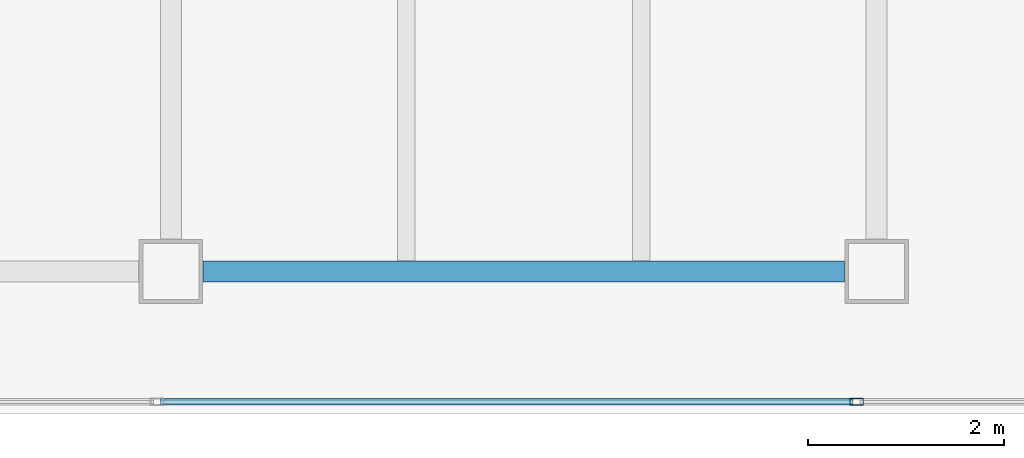
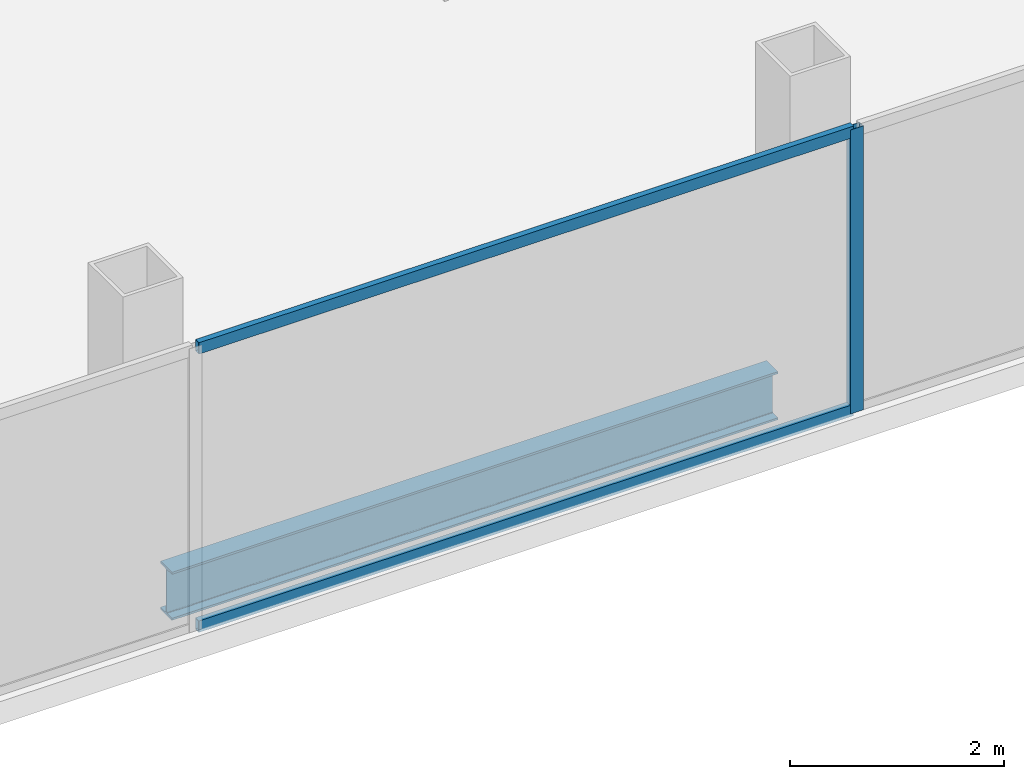
# One storey, part 12 of 23: 3 members, 1 beam, 1 element without a shape of its own.
"""IFC4 building model written with IfcOpenShell, lengths in metres."""

from ifc_helpers import new_model, si_unit, direction, frame, origin, origin_2d, place, context, subcontext, project, spatial, hollow_rectangle, i_section, extrude, material, material_profile, profile_set, type_object, element, aggregate, save


model = new_model("IFC4")

# Units and contexts
model_context = context("Model", 3, precision=1e-05, world=origin(), true_north=direction((0.0, 1.0)))
body_context = subcontext(model_context, "Body", "Model", "MODEL_VIEW")
ifc_project = project(units=[si_unit("LENGTHUNIT", "METRE"), si_unit("AREAUNIT", "SQUARE_METRE"), si_unit("VOLUMEUNIT", "CUBIC_METRE"), si_unit("PLANEANGLEUNIT", "RADIAN"), si_unit("MASSUNIT", "GRAM", prefix="KILO")], contexts=[model_context])

# Site, building, storey
site_placement = place(None, origin())
site = spatial("IfcSite", under=ifc_project, at=site_placement, CompositionType="ELEMENT")
building_placement = place(site_placement, origin())
building = spatial("IfcBuilding", under=site, at=building_placement, Name="Cobrela Telecom Tower", CompositionType="ELEMENT")
storey_placement = place(building_placement, frame((0.0, 0.0, 255.14990234375)))
storey = spatial("IfcBuildingStorey", under=building, at=storey_placement, Name="L66", CompositionType="ELEMENT", Elevation=255.14990234375)

# Beam
ifc_material_1 = material(Name="Steel ASTM A992 Grade 50", Category="steel")
ifc_material_profile_1 = material_profile(ifc_material_1, i_section(OverallWidth=0.212890625, OverallDepth=0.549072265625, WebThickness=0.0146484375, FlangeThickness=0.023681640625, FilletRadius=0.013916015625, at=origin_2d()), Name="W21X93")
ifc_profile_set_1 = profile_set([ifc_material_profile_1], Name="Steel ASTM A992 Grade 50")
beam_type = type_object("IfcBeamType", Name="BM-GIRD-08", PredefinedType="USERDEFINED", material=ifc_profile_set_1)
beam_placement = place(storey_placement, frame((29.1298828125, 7.85009765625, -0.534423828125), z_axis=(1.0, 0.0, 0.0), x_axis=(0.0, 1.0, 0.0)))
element("IfcBeam", 1, at=beam_placement, inside=storey, type_object=beam_type, Name="L66 Primary Girder X04", ObjectType="GIRDER", PredefinedType="USERDEFINED", context=body_context, shape_type="SweptSolid", body=[
    extrude(i_section(OverallWidth=0.212890625, OverallDepth=0.549072265625, WebThickness=0.0146484375, FlangeThickness=0.023681640625, FilletRadius=0.013916015625, at=origin_2d()), origin(), (0.0, 0.0, 1.0), 6.5400390625),
])

# Curtain wall, members
ifc_material_2 = material(Name="Anodized Bronze Aluminium 6063-T6", Category="aluminium")
curtain_wall_type = type_object("IfcCurtainWallType", Name="CW-SYS-OFF-HI", PredefinedType="USERDEFINED", material=ifc_material_2)
curtain_wall_placement = place(storey_placement, origin())
curtain_wall = element("IfcCurtainWall", 2, at=curtain_wall_placement, inside=storey, type_object=curtain_wall_type, Name="L66 Unitised Bronze Curtain Wall 15", ObjectType="UNITISED CURTAIN WALL", PredefinedType="USERDEFINED")
ifc_material_profile_2 = material_profile(ifc_material_2, hollow_rectangle(XDim=0.070068359375, YDim=0.139892578125, WallThickness=0.00390625, at=origin_2d()), Name="ALU 70x140x4")
ifc_profile_set_2 = profile_set([ifc_material_profile_2], Name="Anodized Bronze Aluminium 6063-T6")
member_type_1 = type_object("IfcMemberType", Name="CW-SYS-OFF-HI-MUL", PredefinedType="MULLION", material=ifc_profile_set_2)
member_1_placement = place(storey_placement, frame((35.794921875, 6.52001953125, 0.0), z_axis=(0.0, 0.0, 1.0), x_axis=(0.0, -1.0, 0.0)))
member_1 = element("IfcMember", 3, at=member_1_placement, type_object=member_type_1, Name="CW-OFF-HI mullion 2", PredefinedType="MULLION", context=body_context, shape_type="SweptSolid", body=[
    extrude(hollow_rectangle(XDim=0.070068359375, YDim=0.139892578125, WallThickness=0.00390625, at=origin_2d()), origin(), (0.0, 0.0, 1.0), 3.239990234375),
])
ifc_material_profile_3 = material_profile(ifc_material_2, hollow_rectangle(XDim=0.06494140625, YDim=0.1298828125, WallThickness=0.00390625, at=origin_2d()), Name="ALU 65x130x4")
ifc_profile_set_3 = profile_set([ifc_material_profile_3], Name="Anodized Bronze Aluminium 6063-T6")
member_type_2 = type_object("IfcMemberType", Name="CW-SYS-OFF-HI-TRN", PredefinedType="USERDEFINED", material=ifc_profile_set_3)
member_2_placement = place(storey_placement, frame((35.760009765625, 6.52001953125, 0.03271484375), z_axis=(-1.0, 0.0, 0.0), x_axis=(0.0, -1.0, 0.0)))
member_2 = element("IfcMember", 4, at=member_2_placement, type_object=member_type_2, Name="CW-OFF-HI transom 2.1", ObjectType="TRANSOM", PredefinedType="USERDEFINED", context=body_context, shape_type="SweptSolid", body=[
    extrude(hollow_rectangle(XDim=0.06494140625, YDim=0.1298828125, WallThickness=0.00390625, at=origin_2d()), origin(), (0.0, 0.0, 1.0), 7.06494140625),
])
member_3_placement = place(storey_placement, frame((35.760009765625, 6.52001953125, 3.20751953125), z_axis=(-1.0, 0.0, 0.0), x_axis=(0.0, -1.0, 0.0)))
member_3 = element("IfcMember", 5, at=member_3_placement, type_object=member_type_2, Name="CW-OFF-HI transom 2.2", ObjectType="TRANSOM", PredefinedType="USERDEFINED", context=body_context, shape_type="SweptSolid", body=[
    extrude(hollow_rectangle(XDim=0.06494140625, YDim=0.1298828125, WallThickness=0.00390625, at=origin_2d()), origin(), (0.0, 0.0, 1.0), 7.06494140625),
])
aggregate(curtain_wall, [member_1, member_2, member_3])

save(model, "model.ifc")
